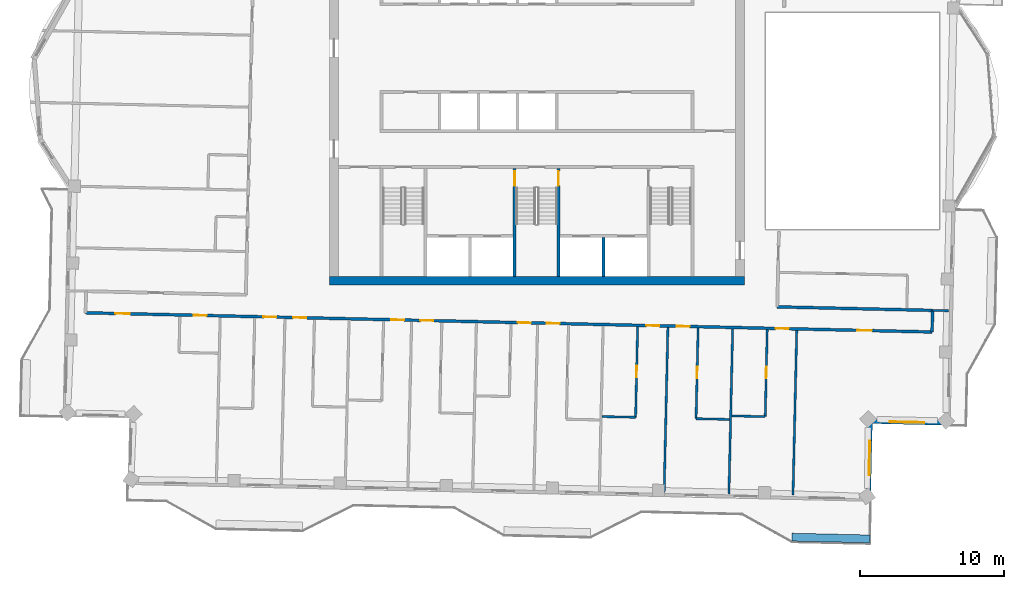
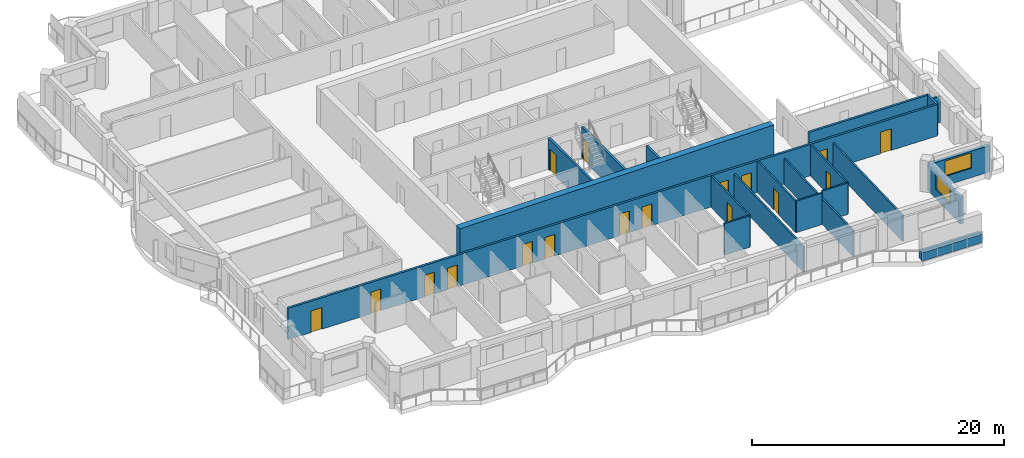
# One storey, part 6 of 15: 20 walls, 17 doors, 2 windows, 19 openings.
"""IFC4 building model written with IfcOpenShell, lengths in metres."""

from ifc_helpers import new_model, si_unit, direction, frame, frame_2d, origin, place, context, subcontext, project, spatial, rectangle, extrude, material, layer, layer_set, type_object, element, fill, save


model = new_model("IFC4")

# Units and contexts
model_context = context("Model", 3, precision=1e-05, world=origin(), true_north=direction((0.0, 1.0)))
body_context = subcontext(model_context, "Body", "Model", "MODEL_VIEW")
ifc_project = project(units=[si_unit("LENGTHUNIT", "METRE"), si_unit("AREAUNIT", "SQUARE_METRE"), si_unit("VOLUMEUNIT", "CUBIC_METRE"), si_unit("PLANEANGLEUNIT", "RADIAN"), si_unit("MASSUNIT", "GRAM", prefix="KILO")], contexts=[model_context])

# Site, building, storey
site_placement = place(None, origin())
site = spatial("IfcSite", under=ifc_project, at=site_placement, CompositionType="ELEMENT")
building_placement = place(site_placement, origin())
building = spatial("IfcBuilding", under=site, at=building_placement, Name="Mangrove Gate Tower", CompositionType="ELEMENT")
storey_placement = place(building_placement, frame((0.0, 0.0, 316.89990234375)))
storey = spatial("IfcBuildingStorey", under=building, at=storey_placement, Name="L81", CompositionType="ELEMENT", Elevation=316.89990234375)

# Wall
ifc_material_1 = material(Name="Concrete C50/60", Category="concrete")
ifc_layer_1 = layer(ifc_material_1, 0.199951171875)
ifc_layer_set_1 = layer_set([ifc_layer_1], Name="Core shaft wall 200 C50/60")
wall_type_1 = type_object("IfcWallType", Name="Core shaft wall 200 C50/60", PredefinedType="SHEAR", material=ifc_layer_set_1)
wall_1_placement = place(storey_placement, frame((4.625, -10.800048828125, 0.0), z_axis=(0.0, 0.0, 1.0), x_axis=(0.0, 1.0, 0.0)))
element("IfcWall", 1, at=wall_1_placement, inside=storey, type_object=wall_type_1, Name="WALL-L81-CORE-18", PredefinedType="SHEAR", context=body_context, shape_type="SweptSolid", body=[
    extrude(rectangle(XDim=2.699951171875, YDim=0.199951171875, at=frame_2d((1.35009765625, 0.0))), origin(), (0.0, 0.0, 1.0), 3.050048828125),
])

# Wall, opening, door
ifc_material_2 = material(Name="Concrete C50/60", Category="concrete")
ifc_layer_2 = layer(ifc_material_2, 0.199951171875)
ifc_layer_set_2 = layer_set([ifc_layer_2], Name="Core stair wall 200 C50/60")
wall_type_2 = type_object("IfcWallType", Name="Core stair wall 200 C50/60", PredefinedType="SHEAR", material=ifc_layer_set_2)
wall_2_placement = place(storey_placement, frame((-1.550048828125, -10.800048828125, 0.0), z_axis=(0.0, 0.0, 1.0), x_axis=(0.0, 1.0, 0.0)))
wall_2 = element("IfcWall", 2, at=wall_2_placement, inside=storey, type_object=wall_type_2, Name="WALL-L81-CORE-11", PredefinedType="SHEAR", context=body_context, shape_type="SweptSolid", body=[
    extrude(rectangle(XDim=7.5, YDim=0.199951171875, at=frame_2d((3.75, 0.0))), origin(), (0.0, 0.0, 1.0), 3.050048828125),
])
opening_1_placement = place(wall_2_placement, frame((6.300048828125, 0.0, 0.0)))
opening_1 = element("IfcOpeningElement", 3, at=opening_1_placement, cuts=wall_2, Name="Opening STD10", PredefinedType="OPENING", context=body_context, shape_type="SweptSolid", body=[
    extrude(rectangle(XDim=1.0, YDim=2.10009765625, at=frame_2d((0.5, 1.050048828125))), frame((0.0, 0.10986328125, 0.0), z_axis=(0.0, -1.0, 0.0), x_axis=(1.0, 0.0, 0.0)), (0.0, 0.0, 1.0), 0.219970703125),
])
ifc_material_3 = material(Name="Fire-rated steel door set", Category="steel")
door_type_1 = type_object("IfcDoorType", Name="Stair door FD60 1000x2100", OperationType="SINGLE_SWING_RIGHT", PredefinedType="DOOR", material=ifc_material_3)
door_1_placement = place(opening_1_placement, origin())
door_1 = element("IfcDoor", 4, at=door_1_placement, inside=storey, type_object=door_type_1, Name="Stair door Stair 2 from service lobby", OperationType="SINGLE_SWING_RIGHT", OverallHeight=2.10009765625, OverallWidth=1.0, PredefinedType="DOOR", context=body_context, shape_type="SweptSolid", body=[
    extrude(rectangle(XDim=1.0, YDim=2.10009765625, at=frame_2d((0.5, 1.050048828125))), frame((0.0, 0.02490234375, 0.0), z_axis=(0.0, -1.0, 0.0), x_axis=(1.0, 0.0, 0.0)), (0.0, 0.0, 1.0), 0.050048828125),
])
fill(opening_1, door_1)

wall_3_placement = place(storey_placement, frame((1.5, -10.800048828125, 0.0), z_axis=(0.0, 0.0, 1.0), x_axis=(0.0, 1.0, 0.0)))
wall_3 = element("IfcWall", 5, at=wall_3_placement, inside=storey, type_object=wall_type_2, Name="WALL-L81-CORE-12", PredefinedType="SHEAR", context=body_context, shape_type="SweptSolid", body=[
    extrude(rectangle(XDim=7.5, YDim=0.199951171875, at=frame_2d((3.75, 0.0))), origin(), (0.0, 0.0, 1.0), 3.050048828125),
])
opening_2_placement = place(wall_3_placement, frame((6.300048828125, 0.0, 0.0)))
opening_2 = element("IfcOpeningElement", 6, at=opening_2_placement, cuts=wall_3, Name="Opening STD10", PredefinedType="OPENING", context=body_context, shape_type="SweptSolid", body=[
    extrude(rectangle(XDim=1.0, YDim=2.10009765625, at=frame_2d((0.5, 1.050048828125))), frame((0.0, 0.10986328125, 0.0), z_axis=(0.0, -1.0, 0.0), x_axis=(1.0, 0.0, 0.0)), (0.0, 0.0, 1.0), 0.219970703125),
])
door_2_placement = place(opening_2_placement, origin())
door_2 = element("IfcDoor", 7, at=door_2_placement, inside=storey, type_object=door_type_1, Name="Stair door Stair 2 from fire-fighting lobby", OperationType="SINGLE_SWING_RIGHT", OverallHeight=2.10009765625, OverallWidth=1.0, PredefinedType="DOOR", context=body_context, shape_type="SweptSolid", body=[
    extrude(rectangle(XDim=1.0, YDim=2.10009765625, at=frame_2d((0.5, 1.050048828125))), frame((0.0, 0.02490234375, 0.0), z_axis=(0.0, -1.0, 0.0), x_axis=(1.0, 0.0, 0.0)), (0.0, 0.0, 1.0), 0.050048828125),
])
fill(opening_2, door_2)

# Wall
ifc_material_4 = material(Name="Concrete C50/60", Category="concrete")
ifc_layer_3 = layer(ifc_material_4, 0.60009765625)
ifc_layer_set_3 = layer_set([ifc_layer_3], Name="Core wall 600 C50/60")
wall_type_3 = type_object("IfcWallType", Name="Core wall 600 C50/60", PredefinedType="SHEAR", material=ifc_layer_set_3)
wall_4_placement = place(storey_placement, frame((-14.39990234375, -11.10009765625, 0.0), z_axis=(0.0, 0.0, 1.0), x_axis=(1.0, 0.0, 0.0)))
element("IfcWall", 8, at=wall_4_placement, inside=storey, type_object=wall_type_3, Name="WALL-L81-CORE-1", PredefinedType="SHEAR", context=body_context, shape_type="SweptSolid", body=[
    extrude(rectangle(XDim=28.7998046875, YDim=0.60009765625, at=frame_2d((14.39990234375, 0.0))), origin(), (0.0, 0.0, 1.0), 3.60009765625),
])

# Wall, openings, doors
ifc_material_5 = material(Name="Gypsum board on steel stud, EI 60", Category="steel")
ifc_layer_4 = layer(ifc_material_5, 0.199951171875)
ifc_layer_set_4 = layer_set([ifc_layer_4], Name="Corridor wall EI 60")
wall_type_4 = type_object("IfcWallType", Name="Corridor wall EI 60", PredefinedType="PARTITIONING", material=ifc_layer_set_4)
wall_5_placement = place(storey_placement, frame((-31.346923828125, -13.3291015625, 0.0), z_axis=(0.0, 0.0, 1.0), x_axis=(0.999742613079, -0.022687168058, 0.0)))
wall_5 = element("IfcWall", 9, at=wall_5_placement, inside=storey, type_object=wall_type_4, Name="WALL-L81-031", PredefinedType="PARTITIONING", context=body_context, shape_type="SweptSolid", body=[
    extrude(rectangle(XDim=58.799072265625, YDim=0.199951171875, at=frame_2d((29.3994140625, 0.0))), origin(), (0.0, 0.0, 1.0), 3.050048828125),
])
opening_3_placement = place(wall_5_placement, frame((2.074951171875, 0.0, 0.0)))
opening_3 = element("IfcOpeningElement", 10, at=opening_3_placement, cuts=wall_5, Name="Opening AD", PredefinedType="OPENING", context=body_context, shape_type="SweptSolid", body=[
    extrude(rectangle(XDim=1.0, YDim=2.10009765625, at=frame_2d((0.5, 1.050048828125))), frame((0.0, 0.10986328125, 0.0), z_axis=(0.0, -1.0, 0.0), x_axis=(1.0, 0.0, 0.0)), (0.0, 0.0, 1.0), 0.219970703125),
])
opening_4_placement = place(wall_5_placement, frame((7.5, 0.0, 0.0)))
opening_4 = element("IfcOpeningElement", 11, at=opening_4_placement, cuts=wall_5, Name="Opening SD", PredefinedType="OPENING", context=body_context, shape_type="SweptSolid", body=[
    extrude(rectangle(XDim=0.89990234375, YDim=2.10009765625, at=frame_2d((0.449951171875, 1.050048828125))), frame((0.0, 0.10986328125, 0.0), z_axis=(0.0, -1.0, 0.0), x_axis=(1.0, 0.0, 0.0)), (0.0, 0.0, 1.0), 0.219970703125),
])
opening_5_placement = place(wall_5_placement, frame((12.35009765625, 0.0, 0.0)))
opening_5 = element("IfcOpeningElement", 12, at=opening_5_placement, cuts=wall_5, Name="Opening BD", PredefinedType="OPENING", context=body_context, shape_type="SweptSolid", body=[
    extrude(rectangle(XDim=0.89990234375, YDim=2.10009765625, at=frame_2d((0.449951171875, 1.050048828125))), frame((0.0, 0.10986328125, 0.0), z_axis=(0.0, -1.0, 0.0), x_axis=(1.0, 0.0, 0.0)), (0.0, 0.0, 1.0), 0.219970703125),
])
opening_6_placement = place(wall_5_placement, frame((14.425048828125, 0.0, 0.0)))
opening_6 = element("IfcOpeningElement", 13, at=opening_6_placement, cuts=wall_5, Name="Opening BD", PredefinedType="OPENING", context=body_context, shape_type="SweptSolid", body=[
    extrude(rectangle(XDim=0.89990234375, YDim=2.10009765625, at=frame_2d((0.449951171875, 1.050048828125))), frame((0.0, 0.10986328125, 0.0), z_axis=(0.0, -1.0, 0.0), x_axis=(1.0, 0.0, 0.0)), (0.0, 0.0, 1.0), 0.219970703125),
])
opening_7_placement = place(wall_5_placement, frame((21.22509765625, 0.0, 0.0)))
opening_7 = element("IfcOpeningElement", 14, at=opening_7_placement, cuts=wall_5, Name="Opening BD", PredefinedType="OPENING", context=body_context, shape_type="SweptSolid", body=[
    extrude(rectangle(XDim=0.89990234375, YDim=2.10009765625, at=frame_2d((0.449951171875, 1.050048828125))), frame((0.0, 0.10986328125, 0.0), z_axis=(0.0, -1.0, 0.0), x_axis=(1.0, 0.0, 0.0)), (0.0, 0.0, 1.0), 0.219970703125),
])
opening_8_placement = place(wall_5_placement, frame((23.25, 0.0, 0.0)))
opening_8 = element("IfcOpeningElement", 15, at=opening_8_placement, cuts=wall_5, Name="Opening BD", PredefinedType="OPENING", context=body_context, shape_type="SweptSolid", body=[
    extrude(rectangle(XDim=0.89990234375, YDim=2.10009765625, at=frame_2d((0.449951171875, 1.050048828125))), frame((0.0, 0.10986328125, 0.0), z_axis=(0.0, -1.0, 0.0), x_axis=(1.0, 0.0, 0.0)), (0.0, 0.0, 1.0), 0.219970703125),
])
opening_9_placement = place(wall_5_placement, frame((30.02490234375, 0.0, 0.0)))
opening_9 = element("IfcOpeningElement", 16, at=opening_9_placement, cuts=wall_5, Name="Opening BD", PredefinedType="OPENING", context=body_context, shape_type="SweptSolid", body=[
    extrude(rectangle(XDim=0.89990234375, YDim=2.10009765625, at=frame_2d((0.449951171875, 1.050048828125))), frame((0.0, 0.10986328125, 0.0), z_axis=(0.0, -1.0, 0.0), x_axis=(1.0, 0.0, 0.0)), (0.0, 0.0, 1.0), 0.219970703125),
])
opening_10_placement = place(wall_5_placement, frame((32.02490234375, 0.0, 0.0)))
opening_10 = element("IfcOpeningElement", 17, at=opening_10_placement, cuts=wall_5, Name="Opening BD", PredefinedType="OPENING", context=body_context, shape_type="SweptSolid", body=[
    extrude(rectangle(XDim=0.89990234375, YDim=2.10009765625, at=frame_2d((0.449951171875, 1.050048828125))), frame((0.0, 0.10986328125, 0.0), z_axis=(0.0, -1.0, 0.0), x_axis=(1.0, 0.0, 0.0)), (0.0, 0.0, 1.0), 0.219970703125),
])
opening_11_placement = place(wall_5_placement, frame((38.949951171875, 0.0, 0.0)))
opening_11 = element("IfcOpeningElement", 18, at=opening_11_placement, cuts=wall_5, Name="Opening BD", PredefinedType="OPENING", context=body_context, shape_type="SweptSolid", body=[
    extrude(rectangle(XDim=0.89990234375, YDim=2.10009765625, at=frame_2d((0.449951171875, 1.050048828125))), frame((0.0, 0.10986328125, 0.0), z_axis=(0.0, -1.0, 0.0), x_axis=(1.0, 0.0, 0.0)), (0.0, 0.0, 1.0), 0.219970703125),
])
opening_12_placement = place(wall_5_placement, frame((41.050048828125, 0.0, 0.0)))
opening_12 = element("IfcOpeningElement", 19, at=opening_12_placement, cuts=wall_5, Name="Opening BD", PredefinedType="OPENING", context=body_context, shape_type="SweptSolid", body=[
    extrude(rectangle(XDim=0.89990234375, YDim=2.10009765625, at=frame_2d((0.449951171875, 1.050048828125))), frame((0.0, 0.10986328125, 0.0), z_axis=(0.0, -1.0, 0.0), x_axis=(1.0, 0.0, 0.0)), (0.0, 0.0, 1.0), 0.219970703125),
])
opening_13_placement = place(wall_5_placement, frame((47.925048828125, 0.0, 0.0)))
opening_13 = element("IfcOpeningElement", 20, at=opening_13_placement, cuts=wall_5, Name="Opening BD", PredefinedType="OPENING", context=body_context, shape_type="SweptSolid", body=[
    extrude(rectangle(XDim=0.89990234375, YDim=2.10009765625, at=frame_2d((0.449951171875, 1.050048828125))), frame((0.0, 0.10986328125, 0.0), z_axis=(0.0, -1.0, 0.0), x_axis=(1.0, 0.0, 0.0)), (0.0, 0.0, 1.0), 0.219970703125),
])
opening_14_placement = place(wall_5_placement, frame((53.617919921875, 0.0, 0.0)))
opening_14 = element("IfcOpeningElement", 21, at=opening_14_placement, cuts=wall_5, Name="Opening AD", PredefinedType="OPENING", context=body_context, shape_type="SweptSolid", body=[
    extrude(rectangle(XDim=1.0, YDim=2.10009765625, at=frame_2d((0.5, 1.050048828125))), frame((0.0, 0.10986328125, 0.0), z_axis=(0.0, -1.0, 0.0), x_axis=(1.0, 0.0, 0.0)), (0.0, 0.0, 1.0), 0.219970703125),
])
ifc_material_6 = material(Name="Timber door leaf", Category="wood")
door_type_2 = type_object("IfcDoorType", Name="Amenity door 1000", OperationType="SINGLE_SWING_LEFT", PredefinedType="DOOR", material=ifc_material_6)
door_3_placement = place(opening_3_placement, origin())
door_3 = element("IfcDoor", 22, at=door_3_placement, inside=storey, type_object=door_type_2, Name="DOOR-L81-LNG-c1a", OperationType="SINGLE_SWING_LEFT", OverallHeight=2.10009765625, OverallWidth=1.0, PredefinedType="DOOR", context=body_context, shape_type="SweptSolid", body=[
    extrude(rectangle(XDim=1.0, YDim=2.10009765625, at=frame_2d((0.5, 1.050048828125))), frame((0.0, 0.02490234375, 0.0), z_axis=(0.0, -1.0, 0.0), x_axis=(1.0, 0.0, 0.0)), (0.0, 0.0, 1.0), 0.050048828125),
])
fill(opening_3, door_3)
door_4_placement = place(opening_14_placement, origin())
door_4 = element("IfcDoor", 23, at=door_4_placement, inside=storey, type_object=door_type_2, Name="DOOR-L81-LNG-c3a", OperationType="SINGLE_SWING_RIGHT", OverallHeight=2.10009765625, OverallWidth=1.0, PredefinedType="DOOR", context=body_context, shape_type="SweptSolid", body=[
    extrude(rectangle(XDim=1.0, YDim=2.10009765625, at=frame_2d((0.5, 1.050048828125))), frame((0.0, 0.02490234375, 0.0), z_axis=(0.0, -1.0, 0.0), x_axis=(1.0, 0.0, 0.0)), (0.0, 0.0, 1.0), 0.050048828125),
])
fill(opening_14, door_4)
ifc_material_7 = material(Name="Timber door leaf", Category="wood")
door_type_3 = type_object("IfcDoorType", Name="Bedroom door 900", OperationType="SINGLE_SWING_LEFT", PredefinedType="DOOR", material=ifc_material_7)
door_5_placement = place(opening_5_placement, origin())
door_5 = element("IfcDoor", 24, at=door_5_placement, inside=storey, type_object=door_type_3, Name="DOOR-L81-BED-c101", OperationType="SINGLE_SWING_LEFT", OverallHeight=2.10009765625, OverallWidth=0.89990234375, PredefinedType="DOOR", context=body_context, shape_type="SweptSolid", body=[
    extrude(rectangle(XDim=0.89990234375, YDim=2.10009765625, at=frame_2d((0.449951171875, 1.050048828125))), frame((0.0, 0.02490234375, 0.0), z_axis=(0.0, -1.0, 0.0), x_axis=(1.0, 0.0, 0.0)), (0.0, 0.0, 1.0), 0.050048828125),
])
fill(opening_5, door_5)
door_6_placement = place(opening_6_placement, origin())
door_6 = element("IfcDoor", 25, at=door_6_placement, inside=storey, type_object=door_type_3, Name="DOOR-L81-BED-c102", OperationType="SINGLE_SWING_RIGHT", OverallHeight=2.10009765625, OverallWidth=0.89990234375, PredefinedType="DOOR", context=body_context, shape_type="SweptSolid", body=[
    extrude(rectangle(XDim=0.89990234375, YDim=2.10009765625, at=frame_2d((0.449951171875, 1.050048828125))), frame((0.0, 0.02490234375, 0.0), z_axis=(0.0, -1.0, 0.0), x_axis=(1.0, 0.0, 0.0)), (0.0, 0.0, 1.0), 0.050048828125),
])
fill(opening_6, door_6)
door_7_placement = place(opening_7_placement, origin())
door_7 = element("IfcDoor", 26, at=door_7_placement, inside=storey, type_object=door_type_3, Name="DOOR-L81-BED-c103", OperationType="SINGLE_SWING_LEFT", OverallHeight=2.10009765625, OverallWidth=0.89990234375, PredefinedType="DOOR", context=body_context, shape_type="SweptSolid", body=[
    extrude(rectangle(XDim=0.89990234375, YDim=2.10009765625, at=frame_2d((0.449951171875, 1.050048828125))), frame((0.0, 0.02490234375, 0.0), z_axis=(0.0, -1.0, 0.0), x_axis=(1.0, 0.0, 0.0)), (0.0, 0.0, 1.0), 0.050048828125),
])
fill(opening_7, door_7)
door_8_placement = place(opening_8_placement, origin())
door_8 = element("IfcDoor", 27, at=door_8_placement, inside=storey, type_object=door_type_3, Name="DOOR-L81-BED-c104", OperationType="SINGLE_SWING_RIGHT", OverallHeight=2.10009765625, OverallWidth=0.89990234375, PredefinedType="DOOR", context=body_context, shape_type="SweptSolid", body=[
    extrude(rectangle(XDim=0.89990234375, YDim=2.10009765625, at=frame_2d((0.449951171875, 1.050048828125))), frame((0.0, 0.02490234375, 0.0), z_axis=(0.0, -1.0, 0.0), x_axis=(1.0, 0.0, 0.0)), (0.0, 0.0, 1.0), 0.050048828125),
])
fill(opening_8, door_8)
door_9_placement = place(opening_9_placement, origin())
door_9 = element("IfcDoor", 28, at=door_9_placement, inside=storey, type_object=door_type_3, Name="DOOR-L81-BED-c205", OperationType="SINGLE_SWING_LEFT", OverallHeight=2.10009765625, OverallWidth=0.89990234375, PredefinedType="DOOR", context=body_context, shape_type="SweptSolid", body=[
    extrude(rectangle(XDim=0.89990234375, YDim=2.10009765625, at=frame_2d((0.449951171875, 1.050048828125))), frame((0.0, 0.02490234375, 0.0), z_axis=(0.0, -1.0, 0.0), x_axis=(1.0, 0.0, 0.0)), (0.0, 0.0, 1.0), 0.050048828125),
])
fill(opening_9, door_9)
door_10_placement = place(opening_10_placement, origin())
door_10 = element("IfcDoor", 29, at=door_10_placement, inside=storey, type_object=door_type_3, Name="DOOR-L81-BED-c206", OperationType="SINGLE_SWING_RIGHT", OverallHeight=2.10009765625, OverallWidth=0.89990234375, PredefinedType="DOOR", context=body_context, shape_type="SweptSolid", body=[
    extrude(rectangle(XDim=0.89990234375, YDim=2.10009765625, at=frame_2d((0.449951171875, 1.050048828125))), frame((0.0, 0.02490234375, 0.0), z_axis=(0.0, -1.0, 0.0), x_axis=(1.0, 0.0, 0.0)), (0.0, 0.0, 1.0), 0.050048828125),
])
fill(opening_10, door_10)
door_11_placement = place(opening_11_placement, origin())
door_11 = element("IfcDoor", 30, at=door_11_placement, inside=storey, type_object=door_type_3, Name="DOOR-L81-BED-c207", OperationType="SINGLE_SWING_LEFT", OverallHeight=2.10009765625, OverallWidth=0.89990234375, PredefinedType="DOOR", context=body_context, shape_type="SweptSolid", body=[
    extrude(rectangle(XDim=0.89990234375, YDim=2.10009765625, at=frame_2d((0.449951171875, 1.050048828125))), frame((0.0, 0.02490234375, 0.0), z_axis=(0.0, -1.0, 0.0), x_axis=(1.0, 0.0, 0.0)), (0.0, 0.0, 1.0), 0.050048828125),
])
fill(opening_11, door_11)
door_12_placement = place(opening_12_placement, origin())
door_12 = element("IfcDoor", 31, at=door_12_placement, inside=storey, type_object=door_type_3, Name="DOOR-L81-BED-c208", OperationType="SINGLE_SWING_RIGHT", OverallHeight=2.10009765625, OverallWidth=0.89990234375, PredefinedType="DOOR", context=body_context, shape_type="SweptSolid", body=[
    extrude(rectangle(XDim=0.89990234375, YDim=2.10009765625, at=frame_2d((0.449951171875, 1.050048828125))), frame((0.0, 0.02490234375, 0.0), z_axis=(0.0, -1.0, 0.0), x_axis=(1.0, 0.0, 0.0)), (0.0, 0.0, 1.0), 0.050048828125),
])
fill(opening_12, door_12)
door_13_placement = place(opening_13_placement, origin())
door_13 = element("IfcDoor", 32, at=door_13_placement, inside=storey, type_object=door_type_3, Name="DOOR-L81-BED-c309", OperationType="SINGLE_SWING_LEFT", OverallHeight=2.10009765625, OverallWidth=0.89990234375, PredefinedType="DOOR", context=body_context, shape_type="SweptSolid", body=[
    extrude(rectangle(XDim=0.89990234375, YDim=2.10009765625, at=frame_2d((0.449951171875, 1.050048828125))), frame((0.0, 0.02490234375, 0.0), z_axis=(0.0, -1.0, 0.0), x_axis=(1.0, 0.0, 0.0)), (0.0, 0.0, 1.0), 0.050048828125),
])
fill(opening_13, door_13)
ifc_material_8 = material(Name="Timber door leaf", Category="wood")
door_type_4 = type_object("IfcDoorType", Name="Service room door 900", OperationType="SINGLE_SWING_LEFT", PredefinedType="DOOR", material=ifc_material_8)
door_14_placement = place(opening_4_placement, origin())
door_14 = element("IfcDoor", 33, at=door_14_placement, inside=storey, type_object=door_type_4, Name="DOOR-L81-LDY-c1a", OperationType="SINGLE_SWING_LEFT", OverallHeight=2.10009765625, OverallWidth=0.89990234375, PredefinedType="DOOR", context=body_context, shape_type="SweptSolid", body=[
    extrude(rectangle(XDim=0.89990234375, YDim=2.10009765625, at=frame_2d((0.449951171875, 1.050048828125))), frame((0.0, 0.02490234375, 0.0), z_axis=(0.0, -1.0, 0.0), x_axis=(1.0, 0.0, 0.0)), (0.0, 0.0, 1.0), 0.050048828125),
])
fill(opening_4, door_14)

# Walls
wall_6_placement = place(storey_placement, frame((27.43701171875, -14.6630859375, 0.0), z_axis=(0.0, 0.0, 1.0), x_axis=(0.022617910375, 0.999744182344, 0.0)))
element("IfcWall", 34, at=wall_6_placement, inside=storey, type_object=wall_type_4, Name="WALL-L81-033", PredefinedType="PARTITIONING", context=body_context, shape_type="SweptSolid", body=[
    extrude(rectangle(XDim=1.50048828125, YDim=0.199951171875, at=frame_2d((0.750244140625, 0.0))), origin(), (0.0, 0.0, 1.0), 3.050048828125),
])
wall_7_placement = place(storey_placement, frame((16.678955078125, -12.91796875, 0.0), z_axis=(0.0, 0.0, 1.0), x_axis=(0.999742162372, -0.022707020428, 0.0)))
element("IfcWall", 35, at=wall_7_placement, inside=storey, type_object=wall_type_4, Name="WALL-L81-037", PredefinedType="PARTITIONING", context=body_context, shape_type="SweptSolid", body=[
    extrude(rectangle(XDim=10.794677734375, YDim=0.199951171875, at=frame_2d((5.3974609375, 0.0))), origin(), (0.0, 0.0, 1.0), 3.050048828125),
])

# Wall, opening, window
ifc_material_9 = material(Name="Limestone", Category="masonry")
ifc_layer_5 = layer(ifc_material_9, 0.0400390625, Name="Limestone cladding")
ifc_material_10 = material(Name="Ventilated air gap")
ifc_layer_6 = layer(ifc_material_10, 0.0400390625, Name="Ventilated cavity")
ifc_material_11 = material(Name="Mineral wool insulation")
ifc_layer_7 = layer(ifc_material_11, 0.06005859375, Name="Insulation")
ifc_material_12 = material(Name="Breather membrane")
ifc_layer_8 = layer(ifc_material_12, 0.001953125, Name="Breather membrane")
ifc_material_13 = material(Name="Concrete C20/25 blockwork", Category="masonry")
ifc_layer_9 = layer(ifc_material_13, 0.14990234375, Name="Blockwork backing wall")
ifc_material_14 = material(Name="Gypsum plaster")
ifc_layer_10 = layer(ifc_material_14, 0.008056640625, Name="Internal plaster")
ifc_layer_set_5 = layer_set([ifc_layer_5, ifc_layer_6, ifc_layer_7, ifc_layer_8, ifc_layer_9, ifc_layer_10], Name="External wall 300 limestone cladding")
wall_type_5 = type_object("IfcWallType", Name="External wall 300 limestone cladding", PredefinedType="SOLIDWALL", material=ifc_layer_set_5)
wall_8_placement = place(storey_placement, frame((23.02294921875, -26.26611328125, 0.0), z_axis=(0.0, 0.0, 1.0), x_axis=(0.022784045517, 0.999740409941, 0.0)))
wall_8 = element("IfcWall", 36, at=wall_8_placement, inside=storey, type_object=wall_type_5, Name="WALL-L81-E14", PredefinedType="SOLIDWALL", context=body_context, shape_type="SweptSolid", body=[
    extrude(rectangle(XDim=5.400634765625, YDim=0.300048828125, at=frame_2d((2.7001953125, 0.0))), origin(), (0.0, 0.0, 1.0), 2.550048828125),
])
opening_15_placement = place(wall_8_placement, frame((1.66796875, 0.0, 0.89990234375)))
opening_15 = element("IfcOpeningElement", 37, at=opening_15_placement, cuts=wall_8, Name="Opening W2", PredefinedType="OPENING", context=body_context, shape_type="SweptSolid", body=[
    extrude(rectangle(XDim=2.39990234375, YDim=1.5, at=frame_2d((1.199951171875, 0.75))), frame((0.0, 0.159912109375, 0.0), z_axis=(0.0, -1.0, 0.0), x_axis=(1.0, 0.0, 0.0)), (0.0, 0.0, 1.0), 0.320068359375),
])
ifc_material_15 = material(Name="Aluminium frame with double-glazed low-e glass", Category="aluminium")
window_type = type_object("IfcWindowType", Name="Corner room window 2400x1500", PartitioningType="DOUBLE_PANEL_VERTICAL", PredefinedType="WINDOW", material=ifc_material_15)
window_1_placement = place(opening_15_placement, origin())
window_1 = element("IfcWindow", 38, at=window_1_placement, inside=storey, type_object=window_type, Name="WIN-L81-E14-1", OverallHeight=1.5, OverallWidth=2.39990234375, PartitioningType="DOUBLE_PANEL_VERTICAL", PredefinedType="WINDOW", context=body_context, shape_type="SweptSolid", body=[
    extrude(rectangle(XDim=2.39990234375, YDim=1.5, at=frame_2d((1.199951171875, 0.75))), frame((0.0, 0.030029296875, 0.0), z_axis=(0.0, -1.0, 0.0), x_axis=(1.0, 0.0, 0.0)), (0.0, 0.0, 1.0), 0.06005859375),
])
fill(opening_15, window_1)

wall_9_placement = place(storey_placement, frame((23.14599609375, -20.866943359375, 0.0), z_axis=(0.0, 0.0, 1.0), x_axis=(0.999740292565, -0.022789195272, 0.0)))
wall_9 = element("IfcWall", 39, at=wall_9_placement, inside=storey, type_object=wall_type_5, Name="WALL-L81-S15", PredefinedType="SOLIDWALL", context=body_context, shape_type="SweptSolid", body=[
    extrude(rectangle(XDim=5.3994140625, YDim=0.300048828125, at=frame_2d((2.69970703125, 0.0))), origin(), (0.0, 0.0, 1.0), 2.550048828125),
])
opening_16_placement = place(wall_9_placement, frame((1.35400390625, 0.0, 0.89990234375)))
opening_16 = element("IfcOpeningElement", 40, at=opening_16_placement, cuts=wall_9, Name="Opening W2", PredefinedType="OPENING", context=body_context, shape_type="SweptSolid", body=[
    extrude(rectangle(XDim=2.39990234375, YDim=1.5, at=frame_2d((1.199951171875, 0.75))), frame((0.0, 0.159912109375, 0.0), z_axis=(0.0, -1.0, 0.0), x_axis=(1.0, 0.0, 0.0)), (0.0, 0.0, 1.0), 0.320068359375),
])
window_2_placement = place(opening_16_placement, origin())
window_2 = element("IfcWindow", 41, at=window_2_placement, inside=storey, type_object=window_type, Name="WIN-L81-S15-1", OverallHeight=1.5, OverallWidth=2.39990234375, PartitioningType="DOUBLE_PANEL_VERTICAL", PredefinedType="WINDOW", context=body_context, shape_type="SweptSolid", body=[
    extrude(rectangle(XDim=2.39990234375, YDim=1.5, at=frame_2d((1.199951171875, 0.75))), frame((0.0, 0.030029296875, 0.0), z_axis=(0.0, -1.0, 0.0), x_axis=(1.0, 0.0, 0.0)), (0.0, 0.0, 1.0), 0.06005859375),
])
fill(opening_16, window_2)

# Walls
ifc_material_16 = material(Name="Gypsum board on steel stud, EI 60", Category="steel")
ifc_layer_11 = layer(ifc_material_16, 0.14990234375)
ifc_layer_set_6 = layer_set([ifc_layer_11], Name="Party wall 150 EI 60")
wall_type_6 = type_object("IfcWallType", Name="Party wall 150 EI 60", PredefinedType="PARTITIONING", material=ifc_layer_set_6)
for number, where, z_axis, x_axis, name in (
    (42, (8.830078125, -25.7939453125, 0.0), (0.0, 0.0, 1.0), (0.022708327922, 0.999742132674, 0.0), "WALL-L81-008"),
    (43, (13.3291015625, -25.89599609375, 0.0), (0.0, 0.0, 1.0), (0.022708327922, 0.999742132674, 0.0), "WALL-L81-009"),
    (44, (17.778076171875, -25.9970703125, 0.0), (0.0, 0.0, 1.0), (0.022708327922, 0.999742132674, 0.0), "WALL-L81-010"),
):
    element("IfcWall", number, at=place(storey_placement, frame(where, z_axis=z_axis, x_axis=x_axis)), inside=storey, type_object=wall_type_6, Name=name, PredefinedType="PARTITIONING", context=body_context, shape_type="SweptSolid", body=[
        extrude(rectangle(XDim=11.449951171875, YDim=0.14990234375, at=frame_2d((5.72509765625, 0.0))), origin(), (0.0, 0.0, 1.0), 2.5),
    ])
wall_10_placement = place(storey_placement, frame((4.52294921875, -20.534912109375, 0.0), z_axis=(0.0, 0.0, 1.0), x_axis=(0.999749954681, -0.022361308448, 0.0)))
element("IfcWall", 45, at=wall_10_placement, inside=storey, type_object=wall_type_6, Name="WALL-L81-017", PredefinedType="PARTITIONING", context=body_context, shape_type="SweptSolid", body=[
    extrude(rectangle(XDim=2.325439453125, YDim=0.14990234375, at=frame_2d((1.16259765625, 0.0))), origin(), (0.0, 0.0, 1.0), 3.050048828125),
])

# Wall, opening, door
wall_11_placement = place(storey_placement, frame((6.847900390625, -20.5869140625, 0.0), z_axis=(0.0, 0.0, 1.0), x_axis=(0.022591786368, 0.999744773024, 0.0)))
wall_11 = element("IfcWall", 46, at=wall_11_placement, inside=storey, type_object=wall_type_6, Name="WALL-L81-018", PredefinedType="PARTITIONING", context=body_context, shape_type="SweptSolid", body=[
    extrude(rectangle(XDim=6.28955078125, YDim=0.14990234375, at=frame_2d((3.144775390625, 0.0))), origin(), (0.0, 0.0, 1.0), 3.050048828125),
])
opening_17_placement = place(wall_11_placement, frame((2.794921875, 0.0, 0.0)))
opening_17 = element("IfcOpeningElement", 47, at=opening_17_placement, cuts=wall_11, Name="Opening ED", PredefinedType="OPENING", context=body_context, shape_type="SweptSolid", body=[
    extrude(rectangle(XDim=0.800048828125, YDim=2.10009765625, at=frame_2d((0.39990234375, 1.050048828125))), frame((0.0, 0.0849609375, 0.0), z_axis=(0.0, -1.0, 0.0), x_axis=(1.0, 0.0, 0.0)), (0.0, 0.0, 1.0), 0.169921875),
])
ifc_material_17 = material(Name="Timber door leaf", Category="wood")
door_type_5 = type_object("IfcDoorType", Name="En-suite door 800", OperationType="SINGLE_SWING_LEFT", PredefinedType="DOOR", material=ifc_material_17)
door_15_placement = place(opening_17_placement, origin())
door_15 = element("IfcDoor", 48, at=door_15_placement, inside=storey, type_object=door_type_5, Name="DOOR-L81-ENS-c207", OperationType="SINGLE_SWING_LEFT", OverallHeight=2.10009765625, OverallWidth=0.800048828125, PredefinedType="DOOR", context=body_context, shape_type="SweptSolid", body=[
    extrude(rectangle(XDim=0.800048828125, YDim=2.10009765625, at=frame_2d((0.39990234375, 1.050048828125))), frame((0.0, 0.02490234375, 0.0), z_axis=(0.0, -1.0, 0.0), x_axis=(1.0, 0.0, 0.0)), (0.0, 0.0, 1.0), 0.050048828125),
])
fill(opening_17, door_15)

# Wall
wall_12_placement = place(storey_placement, frame((11.047119140625, -20.68310546875, 0.0), z_axis=(0.0, 0.0, 1.0), x_axis=(0.999749744571, -0.022370700241, 0.0)))
element("IfcWall", 49, at=wall_12_placement, inside=storey, type_object=wall_type_6, Name="WALL-L81-019", PredefinedType="PARTITIONING", context=body_context, shape_type="SweptSolid", body=[
    extrude(rectangle(XDim=2.324462890625, YDim=0.14990234375, at=frame_2d((1.162109375, 0.0))), origin(), (0.0, 0.0, 1.0), 3.050048828125),
])

# Wall, opening, door
wall_13_placement = place(storey_placement, frame((11.047119140625, -20.68310546875, 0.0), z_axis=(0.0, 0.0, 1.0), x_axis=(0.022548613331, 0.999745747696, 0.0)))
wall_13 = element("IfcWall", 50, at=wall_13_placement, inside=storey, type_object=wall_type_6, Name="WALL-L81-020", PredefinedType="PARTITIONING", context=body_context, shape_type="SweptSolid", body=[
    extrude(rectangle(XDim=6.290771484375, YDim=0.14990234375, at=frame_2d((3.1455078125, 0.0))), origin(), (0.0, 0.0, 1.0), 3.050048828125),
])
opening_18_placement = place(wall_13_placement, frame((2.794921875, 0.0, 0.0)))
opening_18 = element("IfcOpeningElement", 51, at=opening_18_placement, cuts=wall_13, Name="Opening ED", PredefinedType="OPENING", context=body_context, shape_type="SweptSolid", body=[
    extrude(rectangle(XDim=0.800048828125, YDim=2.10009765625, at=frame_2d((0.39990234375, 1.050048828125))), frame((0.0, 0.0849609375, 0.0), z_axis=(0.0, -1.0, 0.0), x_axis=(1.0, 0.0, 0.0)), (0.0, 0.0, 1.0), 0.169921875),
])
door_16_placement = place(opening_18_placement, origin())
door_16 = element("IfcDoor", 52, at=door_16_placement, inside=storey, type_object=door_type_5, Name="DOOR-L81-ENS-c208", OperationType="SINGLE_SWING_RIGHT", OverallHeight=2.10009765625, OverallWidth=0.800048828125, PredefinedType="DOOR", context=body_context, shape_type="SweptSolid", body=[
    extrude(rectangle(XDim=0.800048828125, YDim=2.10009765625, at=frame_2d((0.39990234375, 1.050048828125))), frame((0.0, 0.02490234375, 0.0), z_axis=(0.0, -1.0, 0.0), x_axis=(1.0, 0.0, 0.0)), (0.0, 0.0, 1.0), 0.050048828125),
])
fill(opening_18, door_16)

# Wall
wall_14_placement = place(storey_placement, frame((13.527099609375, -20.489013671875, 0.0), z_axis=(0.0, 0.0, 1.0), x_axis=(0.999740260747, -0.02279059109, 0.0)))
element("IfcWall", 53, at=wall_14_placement, inside=storey, type_object=wall_type_6, Name="WALL-L81-023", PredefinedType="PARTITIONING", context=body_context, shape_type="SweptSolid", body=[
    extrude(rectangle(XDim=2.324462890625, YDim=0.14990234375, at=frame_2d((1.162109375, 0.0))), origin(), (0.0, 0.0, 1.0), 3.050048828125),
])

# Wall, opening, door
wall_15_placement = place(storey_placement, frame((15.85107421875, -20.5419921875, 0.0), z_axis=(0.0, 0.0, 1.0), x_axis=(0.022673665014, 0.999742919412, 0.0)))
wall_15 = element("IfcWall", 54, at=wall_15_placement, inside=storey, type_object=wall_type_6, Name="WALL-L81-024", PredefinedType="PARTITIONING", context=body_context, shape_type="SweptSolid", body=[
    extrude(rectangle(XDim=6.04052734375, YDim=0.14990234375, at=frame_2d((3.020263671875, 0.0))), origin(), (0.0, 0.0, 1.0), 3.050048828125),
])
opening_19_placement = place(wall_15_placement, frame((2.669921875, 0.0, 0.0)))
opening_19 = element("IfcOpeningElement", 55, at=opening_19_placement, cuts=wall_15, Name="Opening ED", PredefinedType="OPENING", context=body_context, shape_type="SweptSolid", body=[
    extrude(rectangle(XDim=0.800048828125, YDim=2.10009765625, at=frame_2d((0.39990234375, 1.050048828125))), frame((0.0, 0.0849609375, 0.0), z_axis=(0.0, -1.0, 0.0), x_axis=(1.0, 0.0, 0.0)), (0.0, 0.0, 1.0), 0.169921875),
])
door_17_placement = place(opening_19_placement, origin())
door_17 = element("IfcDoor", 56, at=door_17_placement, inside=storey, type_object=door_type_5, Name="DOOR-L81-ENS-c309", OperationType="SINGLE_SWING_LEFT", OverallHeight=2.10009765625, OverallWidth=0.800048828125, PredefinedType="DOOR", context=body_context, shape_type="SweptSolid", body=[
    extrude(rectangle(XDim=0.800048828125, YDim=2.10009765625, at=frame_2d((0.39990234375, 1.050048828125))), frame((0.0, 0.02490234375, 0.0), z_axis=(0.0, -1.0, 0.0), x_axis=(1.0, 0.0, 0.0)), (0.0, 0.0, 1.0), 0.050048828125),
])
fill(opening_19, door_17)

# Walls
wall_16_placement = place(storey_placement, frame((27.467041015625, -13.1630859375, 0.0), z_axis=(0.0, 0.0, 1.0), x_axis=(0.999745701647, -0.022550654924, 0.0)))
element("IfcWall", 57, at=wall_16_placement, inside=storey, type_object=wall_type_6, Name="WALL-L81-040", PredefinedType="PARTITIONING", context=body_context, shape_type="SweptSolid", body=[
    extrude(rectangle(XDim=1.104248046875, YDim=0.14990234375, at=frame_2d((0.55224609375, 0.0))), origin(), (0.0, 0.0, 1.0), 2.550048828125),
])
ifc_material_18 = material(Name="Concrete C32/40", Category="concrete")
ifc_layer_12 = layer(ifc_material_18, 0.199951171875, Name="Planter trough wall")
ifc_material_19 = material(Name="Bituminous waterproofing membrane")
ifc_layer_13 = layer(ifc_material_19, 0.0048828125, Name="Waterproofing")
ifc_material_20 = material(Name="Drainage board and gravel")
ifc_layer_14 = layer(ifc_material_20, 0.044921875, Name="Drainage layer")
ifc_material_21 = material(Name="Planting soil")
ifc_layer_15 = layer(ifc_material_21, 0.300048828125, Name="Growing medium")
ifc_layer_set_7 = layer_set([ifc_layer_12, ifc_layer_13, ifc_layer_14, ifc_layer_15], Name="Planter wall 550 C32/40")
wall_type_7 = type_object("IfcWallType", Name="Planter wall 550 C32/40", PredefinedType="USERDEFINED", material=ifc_layer_set_7)
wall_17_placement = place(storey_placement, frame((17.7109375, -28.910888671875, 0.0), z_axis=(0.0, 0.0, 1.0), x_axis=(0.999744512495, -0.022603312514, 0.0)))
element("IfcWall", 58, at=wall_17_placement, inside=storey, type_object=wall_type_7, Name="PLANTER L81 S1.2", ObjectType="PLANTER", PredefinedType="USERDEFINED", context=body_context, shape_type="SweptSolid", body=[
    extrude(rectangle(XDim=5.400634765625, YDim=0.550048828125, at=frame_2d((2.7001953125, 0.0))), origin(), (0.0, 0.0, 1.0), 0.800048828125),
])

save(model, "model.ifc")
